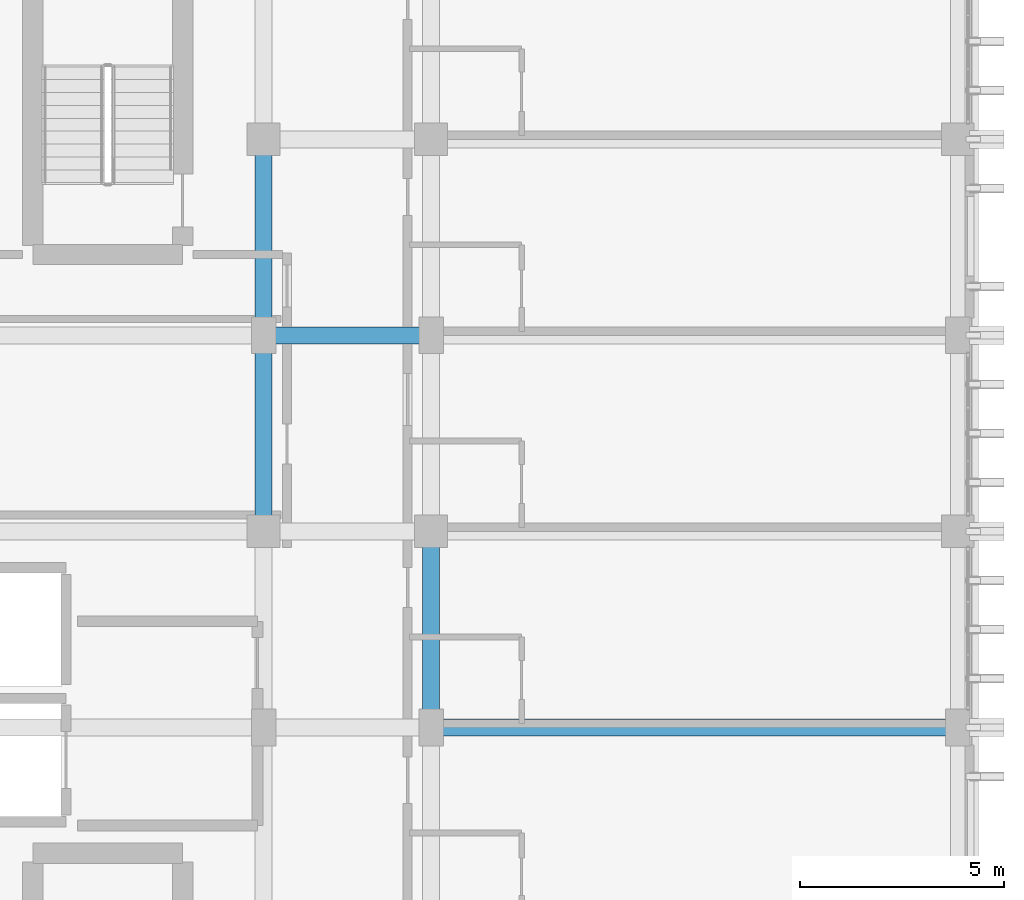
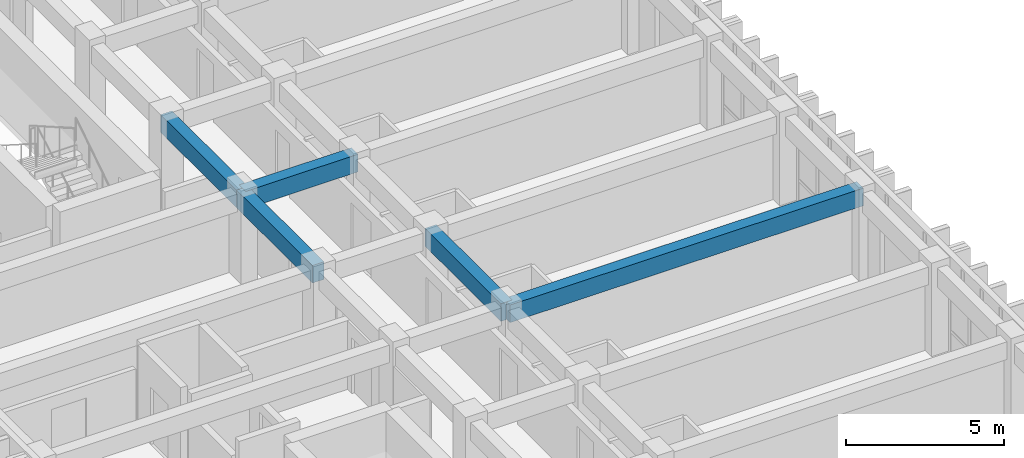
# One storey, part 40 of 82: 5 beams.
"""IFC4 building model written with IfcOpenShell, lengths in metres."""

from ifc_helpers import new_model, si_unit, direction, frame, origin, origin_2d, place, context, subcontext, project, spatial, rectangle, extrude, material, material_profile, profile_set, type_object, element, save


model = new_model("IFC4")

# Units and contexts
model_context = context("Model", 3, precision=1e-05, world=origin(), true_north=direction((0.0, 1.0)))
body_context = subcontext(model_context, "Body", "Model", "MODEL_VIEW")
ifc_project = project(units=[si_unit("LENGTHUNIT", "METRE"), si_unit("AREAUNIT", "SQUARE_METRE"), si_unit("VOLUMEUNIT", "CUBIC_METRE"), si_unit("PLANEANGLEUNIT", "RADIAN"), si_unit("MASSUNIT", "GRAM", prefix="KILO")], contexts=[model_context])

# Site, building, storey
site_placement = place(None, origin())
site = spatial("IfcSite", under=ifc_project, at=site_placement, CompositionType="ELEMENT")
building_placement = place(site_placement, origin())
building = spatial("IfcBuilding", under=site, at=building_placement, Name="Nakhvara Creek Congress Hotel", CompositionType="ELEMENT")
storey_placement = place(building_placement, frame((0.0, 0.0, 21.0)))
storey = spatial("IfcBuildingStorey", under=building, at=storey_placement, Name="L04", CompositionType="ELEMENT", Elevation=21.0)

# Beams
ifc_material = material(Name="Concrete C40/50", Category="concrete")
ifc_material_profile = material_profile(ifc_material, rectangle(XDim=0.419921875, YDim=0.679931640625, at=origin_2d()), Name="RC-BM 420x680", Category="LoadBearing")
ifc_profile_set = profile_set([ifc_material_profile], Name="Concrete C40/50")
beam_type = type_object("IfcBeamType", Name="BM-RC-420X680", PredefinedType="BEAM", material=ifc_profile_set)
for number, where, z_axis, x_axis, name in (
    (1, (162.35009765625, 96.0, 3.0), (0.0, 1.0, 0.0), (-1.0, 0.0, 0.0), "Beam B11-L04-1966"),
    (2, (162.35009765625, 100.800048828125, 3.0), (0.0, 1.0, 0.0), (-1.0, 0.0, 0.0), "Beam B11-L04-1968"),
    (3, (166.449951171875, 91.199951171875, 3.0), (0.0, 1.0, 0.0), (-1.0, 0.0, 0.0), "Beam B11-L04-1997"),
):
    element("IfcBeam", number, at=place(storey_placement, frame(where, z_axis=z_axis, x_axis=x_axis)), inside=storey, type_object=beam_type, Name=name, PredefinedType="BEAM", context=body_context, shape_type="SweptSolid", body=[
        extrude(rectangle(XDim=0.419921875, YDim=0.679931640625, at=origin_2d()), origin(), (0.0, 0.0, 1.0), 4.800048828125),
    ])
beam_1_placement = place(storey_placement, frame((162.35009765625, 100.800048828125, 3.0), z_axis=(1.0, 0.0, 0.0), x_axis=(0.0, 1.0, 0.0)))
element("IfcBeam", 4, at=beam_1_placement, inside=storey, type_object=beam_type, Name="Beam B11-L04-2046", PredefinedType="BEAM", context=body_context, shape_type="SweptSolid", body=[
    extrude(rectangle(XDim=0.419921875, YDim=0.679931640625, at=origin_2d()), origin(), (0.0, 0.0, 1.0), 4.099853515625),
])
beam_2_placement = place(storey_placement, frame((166.449951171875, 91.199951171875, 3.0), z_axis=(1.0, 0.0, 0.0), x_axis=(0.0, 1.0, 0.0)))
element("IfcBeam", 5, at=beam_2_placement, inside=storey, type_object=beam_type, Name="Beam B11-L04-2054", PredefinedType="BEAM", context=body_context, shape_type="SweptSolid", body=[
    extrude(rectangle(XDim=0.419921875, YDim=0.679931640625, at=origin_2d()), origin(), (0.0, 0.0, 1.0), 12.900146484375),
])

save(model, "model.ifc")
